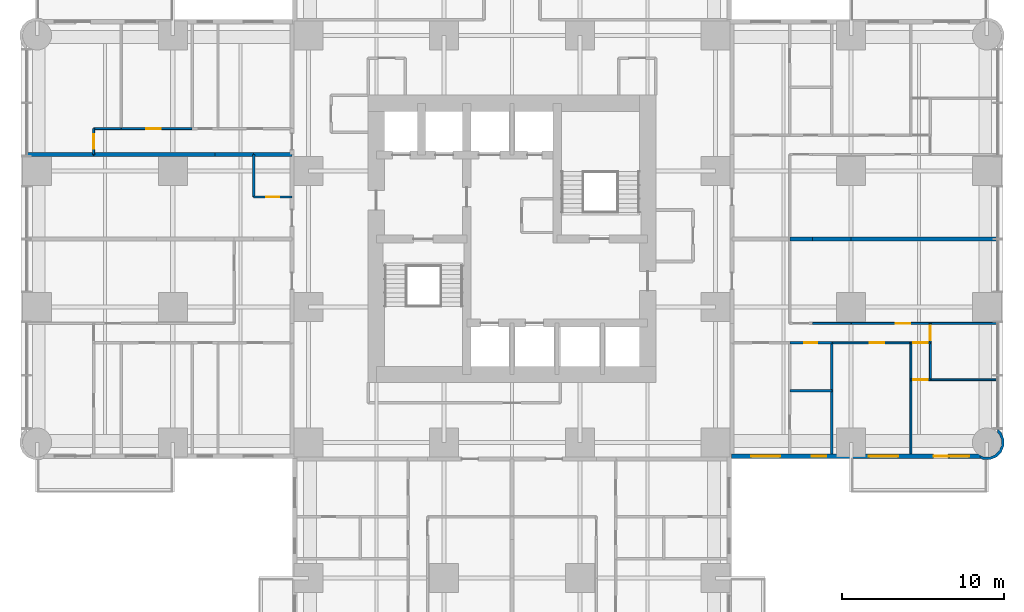
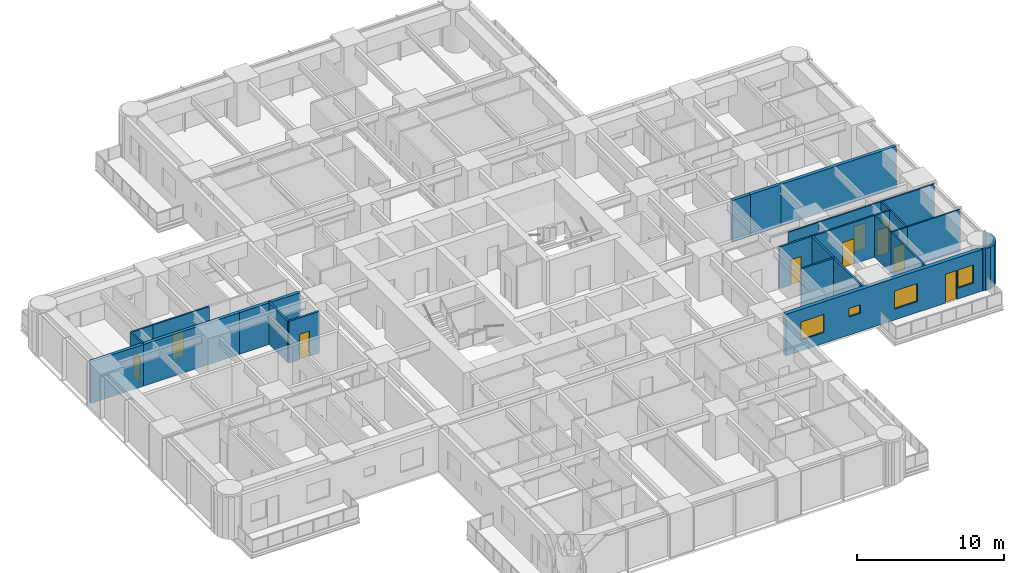
# One storey, part 11 of 17: 29 walls, 10 doors, 4 windows, 14 openings.
"""IFC4 building model written with IfcOpenShell, lengths in metres."""

from ifc_helpers import new_model, si_unit, direction, frame, frame_2d, origin, place, context, subcontext, project, spatial, polyline, rectangle, outline, extrude, material, layer, layer_set, type_object, element, fill, save


model = new_model("IFC4")

# Units and contexts
model_context = context("Model", 3, precision=1e-05, world=origin(), true_north=direction((0.0, 1.0)))
body_context = subcontext(model_context, "Body", "Model", "MODEL_VIEW")
ifc_project = project(units=[si_unit("LENGTHUNIT", "METRE"), si_unit("AREAUNIT", "SQUARE_METRE"), si_unit("VOLUMEUNIT", "CUBIC_METRE"), si_unit("PLANEANGLEUNIT", "RADIAN"), si_unit("MASSUNIT", "GRAM", prefix="KILO")], contexts=[model_context])

# Site, building, storey
site_placement = place(None, origin())
site = spatial("IfcSite", under=ifc_project, at=site_placement, CompositionType="ELEMENT")
building_placement = place(site_placement, origin())
building = spatial("IfcBuilding", under=site, at=building_placement, Name="Torre Alcanfor", CompositionType="ELEMENT")
storey_placement = place(building_placement, frame((0.0, 0.0, 34.5)))
storey = spatial("IfcBuildingStorey", under=building, at=storey_placement, Name="L07", CompositionType="ELEMENT", Elevation=34.5)

# Wall
ifc_material_1 = material(Name="Gypsum board on steel studs", Category="steel")
ifc_layer_1 = layer(ifc_material_1, 0.1201171875)
ifc_layer_set_1 = layer_set([ifc_layer_1], Name="Apartment partition 120")
wall_type_1 = type_object("IfcWallType", Name="Apartment partition 120", PredefinedType="PARTITIONING", material=ifc_layer_set_1)
wall_1_placement = place(storey_placement, frame((50.39990234375, 24.1708984375, 0.0), z_axis=(0.0, 0.0, 1.0), x_axis=(-1.0, 0.0, 0.0)))
element("IfcWall", 1, at=wall_1_placement, inside=storey, type_object=wall_type_1, Name="Partition L07-E2-KITCHEN / L07-E2-HALL", PredefinedType="PARTITIONING", context=body_context, shape_type="SweptSolid", body=[
    extrude(rectangle(XDim=2.39990234375, YDim=0.1201171875, at=frame_2d((1.199951171875, 0.0))), origin(), (0.0, 0.0, 1.0), 3.449951171875),
])

# Wall, opening, door
wall_2_placement = place(storey_placement, frame((55.300048828125, 24.1708984375, 0.0), z_axis=(0.0, 0.0, 1.0), x_axis=(-1.0, 0.0, 0.0)))
wall_2 = element("IfcWall", 2, at=wall_2_placement, inside=storey, type_object=wall_type_1, Name="Partition L07-E2-LIVING / L07-E2-HALL", PredefinedType="PARTITIONING", context=body_context, shape_type="SweptSolid", body=[
    extrude(rectangle(XDim=4.900146484375, YDim=0.1201171875, at=frame_2d((2.4501953125, 0.0))), origin(), (0.0, 0.0, 1.0), 3.449951171875),
])
opening_1_placement = place(wall_2_placement, frame((1.25, 0.0, 0.0)))
opening_1 = element("IfcOpeningElement", 3, at=opening_1_placement, cuts=wall_2, Name="Opening D-R1", PredefinedType="OPENING", context=body_context, shape_type="SweptSolid", body=[
    extrude(rectangle(XDim=0.89990234375, YDim=2.10009765625, at=frame_2d((0.449951171875, 1.050048828125))), frame((0.0, 0.070068359375, 0.0), z_axis=(0.0, -1.0, 0.0), x_axis=(1.0, 0.0, 0.0)), (0.0, 0.0, 1.0), 0.14013671875),
])
ifc_material_2 = material(Name="Timber", Category="wood")
door_type_1 = type_object("IfcDoorType", Name="Internal door 900x2100", OperationType="SINGLE_SWING_LEFT", PredefinedType="DOOR", material=ifc_material_2)
door_1_placement = place(opening_1_placement, frame((0.89990234375, 0.0, 0.0), z_axis=(0.0, 0.0, 1.0), x_axis=(-1.0, 0.0, 0.0)))
door_1 = element("IfcDoor", 4, at=door_1_placement, inside=storey, type_object=door_type_1, Name="Door L07-E2 living", OperationType="SINGLE_SWING_LEFT", OverallHeight=2.10009765625, OverallWidth=0.89990234375, PredefinedType="DOOR", context=body_context, shape_type="SweptSolid", body=[
    extrude(rectangle(XDim=0.89990234375, YDim=2.10009765625, at=frame_2d((0.449951171875, 1.050048828125))), frame((0.0, 0.025146484375, 0.0), z_axis=(0.0, -1.0, 0.0), x_axis=(1.0, 0.0, 0.0)), (0.0, 0.0, 1.0), 0.050048828125),
])
fill(opening_1, door_1)

# Wall
wall_3_placement = place(storey_placement, frame((59.449951171875, 24.1708984375, 0.0), z_axis=(0.0, 0.0, 1.0), x_axis=(-1.0, 0.0, 0.0)))
element("IfcWall", 5, at=wall_3_placement, inside=storey, type_object=wall_type_1, Name="Partition L07-E2-LIVING / L07-E2-BED2", PredefinedType="PARTITIONING", context=body_context, shape_type="SweptSolid", body=[
    extrude(rectangle(XDim=4.14990234375, YDim=0.1201171875, at=frame_2d((2.074951171875, 0.0))), origin(), (0.0, 0.0, 1.0), 3.449951171875),
])

# Wall, opening, door
wall_4_placement = place(storey_placement, frame((54.10009765625, 22.970947265625, 0.0), z_axis=(0.0, 0.0, 1.0), x_axis=(-1.0, 0.0, 0.0)))
wall_4 = element("IfcWall", 6, at=wall_4_placement, inside=storey, type_object=wall_type_1, Name="Partition L07-E2-HALL / L07-E2-BED3", PredefinedType="PARTITIONING", context=body_context, shape_type="SweptSolid", body=[
    extrude(rectangle(XDim=4.900146484375, YDim=0.1201171875, at=frame_2d((2.4501953125, 0.0))), origin(), (0.0, 0.0, 1.0), 3.449951171875),
])
opening_2_placement = place(wall_4_placement, frame((1.64990234375, 0.0, 0.0)))
opening_2 = element("IfcOpeningElement", 7, at=opening_2_placement, cuts=wall_4, Name="Opening D-R1", PredefinedType="OPENING", context=body_context, shape_type="SweptSolid", body=[
    extrude(rectangle(XDim=0.89990234375, YDim=2.10009765625, at=frame_2d((0.449951171875, 1.050048828125))), frame((0.0, 0.070068359375, 0.0), z_axis=(0.0, -1.0, 0.0), x_axis=(1.0, 0.0, 0.0)), (0.0, 0.0, 1.0), 0.14013671875),
])
door_2_placement = place(opening_2_placement, origin())
door_2 = element("IfcDoor", 8, at=door_2_placement, inside=storey, type_object=door_type_1, Name="Door L07-E2 bed3", OperationType="SINGLE_SWING_LEFT", OverallHeight=2.10009765625, OverallWidth=0.89990234375, PredefinedType="DOOR", context=body_context, shape_type="SweptSolid", body=[
    extrude(rectangle(XDim=0.89990234375, YDim=2.10009765625, at=frame_2d((0.449951171875, 1.050048828125))), frame((0.0, 0.02490234375, 0.0), z_axis=(0.0, -1.0, 0.0), x_axis=(1.0, 0.0, 0.0)), (0.0, 0.0, 1.0), 0.050048828125),
])
fill(opening_2, door_2)

wall_5_placement = place(storey_placement, frame((55.300048828125, 22.970947265625, 0.0), z_axis=(0.0, 0.0, 1.0), x_axis=(-1.0, 0.0, 0.0)))
wall_5 = element("IfcWall", 9, at=wall_5_placement, inside=storey, type_object=wall_type_1, Name="Partition L07-E2-HALL / L07-E2-VEST", PredefinedType="PARTITIONING", context=body_context, shape_type="SweptSolid", body=[
    extrude(rectangle(XDim=1.199951171875, YDim=0.1201171875, at=frame_2d((0.60009765625, 0.0))), origin(), (0.0, 0.0, 1.0), 3.449951171875),
])
opening_3_placement = place(wall_5_placement, frame((0.14990234375, 0.0, 0.0)))
opening_3 = element("IfcOpeningElement", 10, at=opening_3_placement, cuts=wall_5, Name="Opening D-R1", PredefinedType="OPENING", context=body_context, shape_type="SweptSolid", body=[
    extrude(rectangle(XDim=0.89990234375, YDim=2.10009765625, at=frame_2d((0.449951171875, 1.050048828125))), frame((0.0, 0.070068359375, 0.0), z_axis=(0.0, -1.0, 0.0), x_axis=(1.0, 0.0, 0.0)), (0.0, 0.0, 1.0), 0.14013671875),
])
door_3_placement = place(opening_3_placement, origin())
door_3 = element("IfcDoor", 11, at=door_3_placement, inside=storey, type_object=door_type_1, Name="Door L07-E2 vest", OperationType="SINGLE_SWING_LEFT", OverallHeight=2.10009765625, OverallWidth=0.89990234375, PredefinedType="DOOR", context=body_context, shape_type="SweptSolid", body=[
    extrude(rectangle(XDim=0.89990234375, YDim=2.10009765625, at=frame_2d((0.449951171875, 1.050048828125))), frame((0.0, 0.02490234375, 0.0), z_axis=(0.0, -1.0, 0.0), x_axis=(1.0, 0.0, 0.0)), (0.0, 0.0, 1.0), 0.050048828125),
])
fill(opening_3, door_3)

wall_6_placement = place(storey_placement, frame((55.300048828125, 24.1708984375, 0.0), z_axis=(0.0, 0.0, 1.0), x_axis=(0.0, -1.0, 0.0)))
wall_6 = element("IfcWall", 12, at=wall_6_placement, inside=storey, type_object=wall_type_1, Name="Partition L07-E2-HALL / L07-E2-BED2", PredefinedType="PARTITIONING", context=body_context, shape_type="SweptSolid", body=[
    extrude(rectangle(XDim=1.199951171875, YDim=0.1201171875, at=frame_2d((0.60009765625, 0.0))), origin(), (0.0, 0.0, 1.0), 3.449951171875),
])
opening_4_placement = place(wall_6_placement, frame((0.15087890625, 0.0, 0.0)))
opening_4 = element("IfcOpeningElement", 13, at=opening_4_placement, cuts=wall_6, Name="Opening D-R1", PredefinedType="OPENING", context=body_context, shape_type="SweptSolid", body=[
    extrude(rectangle(XDim=0.89990234375, YDim=2.10009765625, at=frame_2d((0.449951171875, 1.050048828125))), frame((0.0, 0.070068359375, 0.0), z_axis=(0.0, -1.0, 0.0), x_axis=(1.0, 0.0, 0.0)), (0.0, 0.0, 1.0), 0.14013671875),
])
door_4_placement = place(opening_4_placement, origin())
door_4 = element("IfcDoor", 14, at=door_4_placement, inside=storey, type_object=door_type_1, Name="Door L07-E2 bed2", OperationType="SINGLE_SWING_LEFT", OverallHeight=2.10009765625, OverallWidth=0.89990234375, PredefinedType="DOOR", context=body_context, shape_type="SweptSolid", body=[
    extrude(rectangle(XDim=0.89990234375, YDim=2.10009765625, at=frame_2d((0.449951171875, 1.050048828125))), frame((0.0, 0.02490234375, 0.0), z_axis=(0.0, -1.0, 0.0), x_axis=(1.0, 0.0, 0.0)), (0.0, 0.0, 1.0), 0.050048828125),
])
fill(opening_4, door_4)

# Walls
wall_7_placement = place(storey_placement, frame((54.10009765625, 22.970947265625, 0.0), z_axis=(0.0, 0.0, 1.0), x_axis=(0.0, -1.0, 0.0)))
element("IfcWall", 15, at=wall_7_placement, inside=storey, type_object=wall_type_1, Name="Partition L07-E2-BED3 / L07-E2-VEST", PredefinedType="PARTITIONING", context=body_context, shape_type="SweptSolid", body=[
    extrude(rectangle(XDim=2.284912109375, YDim=0.1201171875, at=frame_2d((1.142578125, 0.0))), origin(), (0.0, 0.0, 1.0), 3.449951171875),
])
wall_8_placement = place(storey_placement, frame((54.10009765625, 20.68603515625, 0.0), z_axis=(0.0, 0.0, 1.0), x_axis=(0.0, -1.0, 0.0)))
element("IfcWall", 16, at=wall_8_placement, inside=storey, type_object=wall_type_1, Name="Partition L07-E2-BED3 / L07-E2-MASTER", PredefinedType="PARTITIONING", context=body_context, shape_type="SweptSolid", body=[
    extrude(rectangle(XDim=4.5859375, YDim=0.1201171875, at=frame_2d((2.29296875, 0.0))), origin(), (0.0, 0.0, 1.0), 3.449951171875),
])
wall_9_placement = place(storey_placement, frame((55.300048828125, 22.970947265625, 0.0), z_axis=(0.0, 0.0, 1.0), x_axis=(0.0, -1.0, 0.0)))
element("IfcWall", 17, at=wall_9_placement, inside=storey, type_object=wall_type_1, Name="Partition L07-E2-VEST / L07-E2-BED2", PredefinedType="PARTITIONING", context=body_context, shape_type="SweptSolid", body=[
    extrude(rectangle(XDim=2.284912109375, YDim=0.1201171875, at=frame_2d((1.142578125, 0.0))), origin(), (0.0, 0.0, 1.0), 3.449951171875),
])

# Wall, opening, door
wall_10_placement = place(storey_placement, frame((55.300048828125, 20.68603515625, 0.0), z_axis=(0.0, 0.0, 1.0), x_axis=(-1.0, 0.0, 0.0)))
wall_10 = element("IfcWall", 18, at=wall_10_placement, inside=storey, type_object=wall_type_1, Name="Partition L07-E2-VEST / L07-E2-MASTER", PredefinedType="PARTITIONING", context=body_context, shape_type="SweptSolid", body=[
    extrude(rectangle(XDim=1.199951171875, YDim=0.1201171875, at=frame_2d((0.60009765625, 0.0))), origin(), (0.0, 0.0, 1.0), 3.449951171875),
])
opening_5_placement = place(wall_10_placement, frame((0.14990234375, 0.0, 0.0)))
opening_5 = element("IfcOpeningElement", 19, at=opening_5_placement, cuts=wall_10, Name="Opening D-R1", PredefinedType="OPENING", context=body_context, shape_type="SweptSolid", body=[
    extrude(rectangle(XDim=0.89990234375, YDim=2.10009765625, at=frame_2d((0.449951171875, 1.050048828125))), frame((0.0, 0.070068359375, 0.0), z_axis=(0.0, -1.0, 0.0), x_axis=(1.0, 0.0, 0.0)), (0.0, 0.0, 1.0), 0.14013671875),
])
door_5_placement = place(opening_5_placement, frame((0.89990234375, 0.0, 0.0), z_axis=(0.0, 0.0, 1.0), x_axis=(-1.0, 0.0, 0.0)))
door_5 = element("IfcDoor", 20, at=door_5_placement, inside=storey, type_object=door_type_1, Name="Door L07-E2 master", OperationType="SINGLE_SWING_RIGHT", OverallHeight=2.10009765625, OverallWidth=0.89990234375, PredefinedType="DOOR", context=body_context, shape_type="SweptSolid", body=[
    extrude(rectangle(XDim=0.89990234375, YDim=2.10009765625, at=frame_2d((0.449951171875, 1.050048828125))), frame((0.0, 0.025146484375, 0.0), z_axis=(0.0, -1.0, 0.0), x_axis=(1.0, 0.0, 0.0)), (0.0, 0.0, 1.0), 0.050048828125),
])
fill(opening_5, door_5)

# Wall
wall_11_placement = place(storey_placement, frame((59.449951171875, 20.68603515625, 0.0), z_axis=(0.0, 0.0, 1.0), x_axis=(-1.0, 0.0, 0.0)))
element("IfcWall", 21, at=wall_11_placement, inside=storey, type_object=wall_type_1, Name="Partition L07-E2-BED2 / L07-E2-MASTER", PredefinedType="PARTITIONING", context=body_context, shape_type="SweptSolid", body=[
    extrude(rectangle(XDim=4.14990234375, YDim=0.1201171875, at=frame_2d((2.074951171875, 0.0))), origin(), (0.0, 0.0, 1.0), 3.449951171875),
])

# Wall, opening, door
wall_12_placement = place(storey_placement, frame((5.199951171875, 36.22900390625, 0.0), z_axis=(0.0, 0.0, 1.0), x_axis=(1.0, 0.0, 0.0)))
wall_12 = element("IfcWall", 22, at=wall_12_placement, inside=storey, type_object=wall_type_1, Name="Partition L07-W2B-HALL / L07-W2B-STUDY", PredefinedType="PARTITIONING", context=body_context, shape_type="SweptSolid", body=[
    extrude(rectangle(XDim=4.400146484375, YDim=0.1201171875, at=frame_2d((2.2001953125, 0.0))), origin(), (0.0, 0.0, 1.0), 3.449951171875),
])
opening_6_placement = place(wall_12_placement, frame((1.550048828125, 0.0, 0.0)))
opening_6 = element("IfcOpeningElement", 23, at=opening_6_placement, cuts=wall_12, Name="Opening D-R1", PredefinedType="OPENING", context=body_context, shape_type="SweptSolid", body=[
    extrude(rectangle(XDim=0.89990234375, YDim=2.10009765625, at=frame_2d((0.449951171875, 1.050048828125))), frame((0.0, 0.070068359375, 0.0), z_axis=(0.0, -1.0, 0.0), x_axis=(1.0, 0.0, 0.0)), (0.0, 0.0, 1.0), 0.14013671875),
])
door_6_placement = place(opening_6_placement, origin())
door_6 = element("IfcDoor", 24, at=door_6_placement, inside=storey, type_object=door_type_1, Name="Door L07-W2B study", OperationType="SINGLE_SWING_LEFT", OverallHeight=2.10009765625, OverallWidth=0.89990234375, PredefinedType="DOOR", context=body_context, shape_type="SweptSolid", body=[
    extrude(rectangle(XDim=0.89990234375, YDim=2.10009765625, at=frame_2d((0.449951171875, 1.050048828125))), frame((0.0, 0.02490234375, 0.0), z_axis=(0.0, -1.0, 0.0), x_axis=(1.0, 0.0, 0.0)), (0.0, 0.0, 1.0), 0.050048828125),
])
fill(opening_6, door_6)

# Wall
wall_13_placement = place(storey_placement, frame((3.5, 36.22900390625, 0.0), z_axis=(0.0, 0.0, 1.0), x_axis=(1.0, 0.0, 0.0)))
element("IfcWall", 25, at=wall_13_placement, inside=storey, type_object=wall_type_1, Name="Partition L07-W2B-HALL / L07-W2B-KITCHEN", PredefinedType="PARTITIONING", context=body_context, shape_type="SweptSolid", body=[
    extrude(rectangle(XDim=1.699951171875, YDim=0.1201171875, at=frame_2d((0.85009765625, 0.0))), origin(), (0.0, 0.0, 1.0), 3.449951171875),
])

# Wall, opening, door
wall_14_placement = place(storey_placement, frame((3.5, 34.62890625, 0.0), z_axis=(0.0, 0.0, 1.0), x_axis=(0.0, 1.0, 0.0)))
wall_14 = element("IfcWall", 26, at=wall_14_placement, inside=storey, type_object=wall_type_1, Name="Partition L07-W2B-HALL / L07-W2B-LIVING", PredefinedType="PARTITIONING", context=body_context, shape_type="SweptSolid", body=[
    extrude(rectangle(XDim=1.60009765625, YDim=0.1201171875, at=frame_2d((0.800048828125, 0.0))), origin(), (0.0, 0.0, 1.0), 3.449951171875),
])
opening_7_placement = place(wall_14_placement, frame((0.35009765625, 0.0, 0.0)))
opening_7 = element("IfcOpeningElement", 27, at=opening_7_placement, cuts=wall_14, Name="Opening D-R1", PredefinedType="OPENING", context=body_context, shape_type="SweptSolid", body=[
    extrude(rectangle(XDim=0.89990234375, YDim=2.10009765625, at=frame_2d((0.449951171875, 1.050048828125))), frame((0.0, 0.070068359375, 0.0), z_axis=(0.0, -1.0, 0.0), x_axis=(1.0, 0.0, 0.0)), (0.0, 0.0, 1.0), 0.14013671875),
])
door_7_placement = place(opening_7_placement, origin())
door_7 = element("IfcDoor", 28, at=door_7_placement, inside=storey, type_object=door_type_1, Name="Door L07-W2B living", OperationType="SINGLE_SWING_LEFT", OverallHeight=2.10009765625, OverallWidth=0.89990234375, PredefinedType="DOOR", context=body_context, shape_type="SweptSolid", body=[
    extrude(rectangle(XDim=0.89990234375, YDim=2.10009765625, at=frame_2d((0.449951171875, 1.050048828125))), frame((0.0, 0.02490234375, 0.0), z_axis=(0.0, -1.0, 0.0), x_axis=(1.0, 0.0, 0.0)), (0.0, 0.0, 1.0), 0.050048828125),
])
fill(opening_7, door_7)

# Wall, openings, door, windows
ifc_material_3 = material(Name="Limestone cladding", Category="masonry")
ifc_layer_2 = layer(ifc_material_3, 0.0400390625, Name="Facing")
ifc_material_4 = material(Name="Ventilated air cavity")
ifc_layer_3 = layer(ifc_material_4, 0.02001953125, ventilated=True, Name="Ventilated joint")
ifc_material_5 = material(Name="Mineral wool insulation", Category="insulation")
ifc_layer_4 = layer(ifc_material_5, 0.10009765625, Name="Insulation")
ifc_material_6 = material(Name="Concrete f'c 35 MPa", Category="concrete")
ifc_layer_5 = layer(ifc_material_6, 0.139892578125, Name="Backing")
ifc_layer_set_2 = layer_set([ifc_layer_2, ifc_layer_3, ifc_layer_4, ifc_layer_5], Name="External wall stone-clad 300")
wall_type_2 = type_object("IfcWallType", Name="External wall stone-clad 300", PredefinedType="SOLIDWALL", material=ifc_layer_set_2)
wall_15_placement = place(storey_placement, frame((43.0, 15.949951171875, 0.0), z_axis=(0.0, 0.0, 1.0), x_axis=(1.0, 0.0, 0.0)))
wall_15 = element("IfcWall", 29, at=wall_15_placement, inside=storey, type_object=wall_type_2, Name="External wall L07 7", PredefinedType="SOLIDWALL", context=body_context, shape_type="SweptSolid", body=[
    extrude(rectangle(XDim=15.39990234375, YDim=0.300048828125, at=frame_2d((7.699951171875, 0.0))), origin(), (0.0, 0.0, 1.0), 3.449951171875),
])
opening_8_placement = place(wall_15_placement, frame((1.199951171875, 0.0, 0.89990234375)))
opening_8 = element("IfcOpeningElement", 30, at=opening_8_placement, cuts=wall_15, Name="Opening W2", PredefinedType="OPENING", context=body_context, shape_type="SweptSolid", body=[
    extrude(rectangle(XDim=1.800048828125, YDim=1.5, at=frame_2d((0.89990234375, 0.75))), frame((0.0, 0.159912109375, 0.0), z_axis=(0.0, -1.0, 0.0), x_axis=(1.0, 0.0, 0.0)), (0.0, 0.0, 1.0), 0.320068359375),
])
opening_9_placement = place(wall_15_placement, frame((4.949951171875, 0.0, 1.5)))
opening_9 = element("IfcOpeningElement", 31, at=opening_9_placement, cuts=wall_15, Name="Opening W3", PredefinedType="OPENING", context=body_context, shape_type="SweptSolid", body=[
    extrude(rectangle(XDim=0.89990234375, YDim=0.699951171875, at=frame_2d((0.449951171875, 0.35009765625))), frame((0.0, 0.159912109375, 0.0), z_axis=(0.0, -1.0, 0.0), x_axis=(1.0, 0.0, 0.0)), (0.0, 0.0, 1.0), 0.320068359375),
])
opening_10_placement = place(wall_15_placement, frame((8.5, 0.0, 0.89990234375)))
opening_10 = element("IfcOpeningElement", 32, at=opening_10_placement, cuts=wall_15, Name="Opening W2", PredefinedType="OPENING", context=body_context, shape_type="SweptSolid", body=[
    extrude(rectangle(XDim=1.800048828125, YDim=1.5, at=frame_2d((0.89990234375, 0.75))), frame((0.0, 0.159912109375, 0.0), z_axis=(0.0, -1.0, 0.0), x_axis=(1.0, 0.0, 0.0)), (0.0, 0.0, 1.0), 0.320068359375),
])
opening_11_placement = place(wall_15_placement, frame((12.5, 0.0, 0.0)))
opening_11 = element("IfcOpeningElement", 33, at=opening_11_placement, cuts=wall_15, Name="Opening D-B1", PredefinedType="OPENING", context=body_context, shape_type="SweptSolid", body=[
    extrude(rectangle(XDim=0.89990234375, YDim=2.39990234375, at=frame_2d((0.449951171875, 1.199951171875))), frame((0.0, 0.159912109375, 0.0), z_axis=(0.0, -1.0, 0.0), x_axis=(1.0, 0.0, 0.0)), (0.0, 0.0, 1.0), 0.320068359375),
])
opening_12_placement = place(wall_15_placement, frame((13.5, 0.0, 0.89990234375)))
opening_12 = element("IfcOpeningElement", 34, at=opening_12_placement, cuts=wall_15, Name="Opening W4", PredefinedType="OPENING", context=body_context, shape_type="SweptSolid", body=[
    extrude(rectangle(XDim=1.199951171875, YDim=1.5, at=frame_2d((0.60009765625, 0.75))), frame((0.0, 0.159912109375, 0.0), z_axis=(0.0, -1.0, 0.0), x_axis=(1.0, 0.0, 0.0)), (0.0, 0.0, 1.0), 0.320068359375),
])
ifc_material_7 = material(Name="Aluminium and glass", Category="aluminium")
door_type_2 = type_object("IfcDoorType", Name="Balcony door glazed 900x2400", OperationType="SINGLE_SWING_LEFT", PredefinedType="DOOR", material=ifc_material_7)
door_8_placement = place(opening_11_placement, origin())
door_8 = element("IfcDoor", 35, at=door_8_placement, inside=storey, type_object=door_type_2, Name="Balcony door L07-E2", OperationType="SINGLE_SWING_LEFT", OverallHeight=2.39990234375, OverallWidth=0.89990234375, PredefinedType="DOOR", context=body_context, shape_type="SweptSolid", body=[
    extrude(rectangle(XDim=0.89990234375, YDim=2.39990234375, at=frame_2d((0.449951171875, 1.199951171875))), frame((0.0, 0.02490234375, 0.0), z_axis=(0.0, -1.0, 0.0), x_axis=(1.0, 0.0, 0.0)), (0.0, 0.0, 1.0), 0.050048828125),
])
fill(opening_11, door_8)
ifc_material_8 = material(Name="Aluminium frame with clear double glazing", Category="aluminium")
window_type_1 = type_object("IfcWindowType", Name="Window bathroom 900x700", PartitioningType="SINGLE_PANEL", PredefinedType="WINDOW", material=ifc_material_8)
window_1_placement = place(opening_9_placement, origin())
window_1 = element("IfcWindow", 36, at=window_1_placement, inside=storey, type_object=window_type_1, Name="Window W3 L07-E2", OverallHeight=0.699951171875, OverallWidth=0.89990234375, PartitioningType="SINGLE_PANEL", PredefinedType="WINDOW", context=body_context, shape_type="SweptSolid", body=[
    extrude(rectangle(XDim=0.89990234375, YDim=0.699951171875, at=frame_2d((0.449951171875, 0.35009765625))), frame((0.0, 0.030029296875, 0.0), z_axis=(0.0, -1.0, 0.0), x_axis=(1.0, 0.0, 0.0)), (0.0, 0.0, 1.0), 0.06005859375),
])
fill(opening_9, window_1)
ifc_material_9 = material(Name="Aluminium frame with clear double glazing", Category="aluminium")
window_type_2 = type_object("IfcWindowType", Name="Window bedroom 1200x1500", PartitioningType="SINGLE_PANEL", PredefinedType="WINDOW", material=ifc_material_9)
window_2_placement = place(opening_12_placement, origin())
window_2 = element("IfcWindow", 37, at=window_2_placement, inside=storey, type_object=window_type_2, Name="Window W4 L07-E2", OverallHeight=1.5, OverallWidth=1.199951171875, PartitioningType="SINGLE_PANEL", PredefinedType="WINDOW", context=body_context, shape_type="SweptSolid", body=[
    extrude(rectangle(XDim=1.199951171875, YDim=1.5, at=frame_2d((0.60009765625, 0.75))), frame((0.0, 0.030029296875, 0.0), z_axis=(0.0, -1.0, 0.0), x_axis=(1.0, 0.0, 0.0)), (0.0, 0.0, 1.0), 0.06005859375),
])
fill(opening_12, window_2)
ifc_material_10 = material(Name="Aluminium frame with clear double glazing", Category="aluminium")
window_type_3 = type_object("IfcWindowType", Name="Window bedroom 1800x1500", PartitioningType="SINGLE_PANEL", PredefinedType="WINDOW", material=ifc_material_10)
window_3_placement = place(opening_8_placement, origin())
window_3 = element("IfcWindow", 38, at=window_3_placement, inside=storey, type_object=window_type_3, Name="Window W2 L07-E2", OverallHeight=1.5, OverallWidth=1.800048828125, PartitioningType="SINGLE_PANEL", PredefinedType="WINDOW", context=body_context, shape_type="SweptSolid", body=[
    extrude(rectangle(XDim=1.800048828125, YDim=1.5, at=frame_2d((0.89990234375, 0.75))), frame((0.0, 0.030029296875, 0.0), z_axis=(0.0, -1.0, 0.0), x_axis=(1.0, 0.0, 0.0)), (0.0, 0.0, 1.0), 0.06005859375),
])
fill(opening_8, window_3)
window_4_placement = place(opening_10_placement, origin())
window_4 = element("IfcWindow", 39, at=window_4_placement, inside=storey, type_object=window_type_3, Name="Window W2 L07-E2", OverallHeight=1.5, OverallWidth=1.800048828125, PartitioningType="SINGLE_PANEL", PredefinedType="WINDOW", context=body_context, shape_type="SweptSolid", body=[
    extrude(rectangle(XDim=1.800048828125, YDim=1.5, at=frame_2d((0.89990234375, 0.75))), frame((0.0, 0.030029296875, 0.0), z_axis=(0.0, -1.0, 0.0), x_axis=(1.0, 0.0, 0.0)), (0.0, 0.0, 1.0), 0.06005859375),
])
fill(opening_10, window_4)

# Walls
ifc_material_11 = material(Name="Concrete block masonry, hollow blocks NMX-C-404 9 MPa", Category="masonry")
ifc_layer_6 = layer(ifc_material_11, 0.25)
ifc_layer_set_3 = layer_set([ifc_layer_6], Name="Party wall 250 EI 60")
wall_type_3 = type_object("IfcWallType", Name="Party wall 250 EI 60", PredefinedType="PARTITIONING", material=ifc_layer_set_3)
wall_16_placement = place(storey_placement, frame((46.60009765625, 29.39990234375, 0.0), z_axis=(0.0, 0.0, 1.0), x_axis=(1.0, 0.0, 0.0)))
element("IfcWall", 40, at=wall_16_placement, inside=storey, type_object=wall_type_3, Name="Partition L07-E1-LAUND / L07-E2-LAUND", PredefinedType="PARTITIONING", context=body_context, shape_type="SweptSolid", body=[
    extrude(rectangle(XDim=1.39990234375, YDim=0.25, at=frame_2d((0.699951171875, 0.0))), origin(), (0.0, 0.0, 1.0), 3.449951171875),
])
wall_17_placement = place(storey_placement, frame((48.0, 29.39990234375, 0.0), z_axis=(0.0, 0.0, 1.0), x_axis=(1.0, 0.0, 0.0)))
element("IfcWall", 41, at=wall_17_placement, inside=storey, type_object=wall_type_3, Name="Partition L07-E1-KITCHEN / L07-E2-KITCHEN", PredefinedType="PARTITIONING", context=body_context, shape_type="SweptSolid", body=[
    extrude(rectangle(XDim=2.39990234375, YDim=0.25, at=frame_2d((1.199951171875, 0.0))), origin(), (0.0, 0.0, 1.0), 3.449951171875),
])
wall_18_placement = place(storey_placement, frame((50.39990234375, 29.39990234375, 0.0), z_axis=(0.0, 0.0, 1.0), x_axis=(1.0, 0.0, 0.0)))
element("IfcWall", 42, at=wall_18_placement, inside=storey, type_object=wall_type_3, Name="Partition L07-E1-LIVING / L07-E2-LIVING", PredefinedType="PARTITIONING", context=body_context, shape_type="SweptSolid", body=[
    extrude(rectangle(XDim=9.050048828125, YDim=0.25, at=frame_2d((4.52490234375, 0.0))), origin(), (0.0, 0.0, 1.0), 3.449951171875),
])
wall_19_placement = place(storey_placement, frame((13.39990234375, 34.62890625, 0.0), z_axis=(0.0, 0.0, 1.0), x_axis=(1.0, 0.0, 0.0)))
element("IfcWall", 43, at=wall_19_placement, inside=storey, type_object=wall_type_3, Name="Partition L07-W2A-BATH / L07-W2B-HALL", PredefinedType="PARTITIONING", context=body_context, shape_type="SweptSolid", body=[
    extrude(rectangle(XDim=2.375, YDim=0.25, at=frame_2d((1.1875, 0.0))), origin(), (0.0, 0.0, 1.0), 3.449951171875),
])
wall_20_placement = place(storey_placement, frame((11.0, 34.62890625, 0.0), z_axis=(0.0, 0.0, 1.0), x_axis=(1.0, 0.0, 0.0)))
element("IfcWall", 44, at=wall_20_placement, inside=storey, type_object=wall_type_3, Name="Partition L07-W2A-KITCHEN / L07-W2B-HALL", PredefinedType="PARTITIONING", context=body_context, shape_type="SweptSolid", body=[
    extrude(rectangle(XDim=2.39990234375, YDim=0.25, at=frame_2d((1.199951171875, 0.0))), origin(), (0.0, 0.0, 1.0), 3.449951171875),
])
wall_21_placement = place(storey_placement, frame((3.5, 34.62890625, 0.0), z_axis=(0.0, 0.0, 1.0), x_axis=(1.0, 0.0, 0.0)))
element("IfcWall", 45, at=wall_21_placement, inside=storey, type_object=wall_type_3, Name="Partition L07-W2A-STUDIO / L07-W2B-HALL", PredefinedType="PARTITIONING", context=body_context, shape_type="SweptSolid", body=[
    extrude(rectangle(XDim=7.5, YDim=0.25, at=frame_2d((3.75, 0.0))), origin(), (0.0, 0.0, 1.0), 3.449951171875),
])
wall_22_placement = place(storey_placement, frame((-0.64990234375, 34.62890625, 0.0), z_axis=(0.0, 0.0, 1.0), x_axis=(1.0, 0.0, 0.0)))
element("IfcWall", 46, at=wall_22_placement, inside=storey, type_object=wall_type_3, Name="Partition L07-W2A-STUDIO / L07-W2B-LIVING", PredefinedType="PARTITIONING", context=body_context, shape_type="SweptSolid", body=[
    extrude(rectangle(XDim=4.14990234375, YDim=0.25, at=frame_2d((2.074951171875, 0.0))), origin(), (0.0, 0.0, 1.0), 3.449951171875),
])
ifc_layer_7 = layer(ifc_material_3, 0.0400390625, Name="Facing")
ifc_layer_8 = layer(ifc_material_4, 0.02001953125, ventilated=True, Name="Ventilated joint")
ifc_layer_9 = layer(ifc_material_5, 0.10009765625, Name="Insulation")
ifc_layer_10 = layer(ifc_material_6, 0.139892578125, Name="Backing")
ifc_layer_set_4 = layer_set([ifc_layer_7, ifc_layer_8, ifc_layer_9, ifc_layer_10], Name="Rounded corner pier stone-clad 300")
wall_type_4 = type_object("IfcWallType", Name="Rounded corner pier stone-clad 300", PredefinedType="SOLIDWALL", material=ifc_layer_set_4)
wall_23_placement = place(storey_placement, frame((58.436037137, 15.890092843, 0.0), z_axis=(0.0, 0.0, 1.0), x_axis=(0.926129809145, -0.377204953059, 0.0)))
element("IfcWall", 47, at=wall_23_placement, inside=storey, type_object=wall_type_4, Name="Corner pier L07 17", PredefinedType="SOLIDWALL", context=body_context, shape_type="SweptSolid", body=[
    extrude(outline(polyline([(0.769166837716128, 1.7276108100514604), (0.7500653632983351, 1.7227306908268178), (0.5995000244675756, 1.8749338844742405), (0.2945752424497483, 2.003546223814982), (0.2810088878235957, 1.9980207606354041), (0.36029928445054193, 1.803343571750114), (0.5086711604613772, 1.740666542271283), (0.7606181499848057, 1.4858220995022824), (0.8958078157784841, 1.153898622982415), (0.8937038530249802, 0.7953177307388815), (0.7545964309992416, 0.4650292826997394), (0.49975198823024103, 0.21308229317631072), (0.16782851171037358, 0.07789262738263233), (-0.0998950178182167, 0.07956887308382314), (0.0004995392280573718, -0.09702266930253471), (0.03004451591433495, -0.08024419760165923), (0.19838601885213236, -0.08127415720020953), (0.5888709261748919, 0.07776709131864781), (0.888863773202199, 0.37420041869354087), (1.0524038230869968, 0.7629450169505976), (1.0552007062717619, 1.1845482211771667), (0.8961594577529046, 1.5750331284999262), (0.777713405588319, 1.694976661367872), (0.769166837716128, 1.7276108100514604)])), origin(), (0.0, 0.0, 1.0), 3.449951171875),
])

# Wall, opening, door
ifc_material_12 = material(Name="Cement board on steel studs", Category="steel")
ifc_layer_11 = layer(ifc_material_12, 0.14990234375)
ifc_layer_set_5 = layer_set([ifc_layer_11], Name="Wet area partition 150")
wall_type_5 = type_object("IfcWallType", Name="Wet area partition 150", PredefinedType="PARTITIONING", material=ifc_layer_set_5)
wall_24_placement = place(storey_placement, frame((49.199951171875, 22.970947265625, 0.0), z_axis=(0.0, 0.0, 1.0), x_axis=(-1.0, 0.0, 0.0)))
wall_24 = element("IfcWall", 48, at=wall_24_placement, inside=storey, type_object=wall_type_5, Name="Partition L07-E2-HALL / L07-E2-BATH1", PredefinedType="PARTITIONING", context=body_context, shape_type="SweptSolid", body=[
    extrude(rectangle(XDim=2.599853515625, YDim=0.14990234375, at=frame_2d((1.2998046875, 0.0))), origin(), (0.0, 0.0, 1.0), 3.449951171875),
])
opening_13_placement = place(wall_24_placement, frame((0.89990234375, 0.0, 0.0)))
opening_13 = element("IfcOpeningElement", 49, at=opening_13_placement, cuts=wall_24, Name="Opening D-R2", PredefinedType="OPENING", context=body_context, shape_type="SweptSolid", body=[
    extrude(rectangle(XDim=0.800048828125, YDim=2.10009765625, at=frame_2d((0.39990234375, 1.050048828125))), frame((0.0, 0.0849609375, 0.0), z_axis=(0.0, -1.0, 0.0), x_axis=(1.0, 0.0, 0.0)), (0.0, 0.0, 1.0), 0.169921875),
])
ifc_material_13 = material(Name="Timber", Category="wood")
door_type_3 = type_object("IfcDoorType", Name="Bathroom door 800x2100", OperationType="SINGLE_SWING_LEFT", PredefinedType="DOOR", material=ifc_material_13)
door_9_placement = place(opening_13_placement, origin())
door_9 = element("IfcDoor", 50, at=door_9_placement, inside=storey, type_object=door_type_3, Name="Door L07-E2 bath1", OperationType="SINGLE_SWING_LEFT", OverallHeight=2.10009765625, OverallWidth=0.800048828125, PredefinedType="DOOR", context=body_context, shape_type="SweptSolid", body=[
    extrude(rectangle(XDim=0.800048828125, YDim=2.10009765625, at=frame_2d((0.39990234375, 1.050048828125))), frame((0.0, 0.02490234375, 0.0), z_axis=(0.0, -1.0, 0.0), x_axis=(1.0, 0.0, 0.0)), (0.0, 0.0, 1.0), 0.050048828125),
])
fill(opening_13, door_9)

# Walls
wall_25_placement = place(storey_placement, frame((49.199951171875, 20.0, 0.0), z_axis=(0.0, 0.0, 1.0), x_axis=(-1.0, 0.0, 0.0)))
element("IfcWall", 51, at=wall_25_placement, inside=storey, type_object=wall_type_5, Name="Partition L07-E2-BATH1 / L07-E2-SBATH", PredefinedType="PARTITIONING", context=body_context, shape_type="SweptSolid", body=[
    extrude(rectangle(XDim=2.599853515625, YDim=0.14990234375, at=frame_2d((1.2998046875, 0.0))), origin(), (0.0, 0.0, 1.0), 3.449951171875),
])
wall_26_placement = place(storey_placement, frame((49.199951171875, 22.970947265625, 0.0), z_axis=(0.0, 0.0, 1.0), x_axis=(0.0, -1.0, 0.0)))
element("IfcWall", 52, at=wall_26_placement, inside=storey, type_object=wall_type_5, Name="Partition L07-E2-BATH1 / L07-E2-BED3", PredefinedType="PARTITIONING", context=body_context, shape_type="SweptSolid", body=[
    extrude(rectangle(XDim=2.970947265625, YDim=0.14990234375, at=frame_2d((1.4853515625, 0.0))), origin(), (0.0, 0.0, 1.0), 3.449951171875),
])
wall_27_placement = place(storey_placement, frame((49.199951171875, 20.0, 0.0), z_axis=(0.0, 0.0, 1.0), x_axis=(0.0, -1.0, 0.0)))
element("IfcWall", 53, at=wall_27_placement, inside=storey, type_object=wall_type_5, Name="Partition L07-E2-SBATH / L07-E2-BED3", PredefinedType="PARTITIONING", context=body_context, shape_type="SweptSolid", body=[
    extrude(rectangle(XDim=3.89990234375, YDim=0.14990234375, at=frame_2d((1.949951171875, 0.0))), origin(), (0.0, 0.0, 1.0), 3.449951171875),
])

# Wall, opening, door
wall_28_placement = place(storey_placement, frame((13.39990234375, 32.0, 0.0), z_axis=(0.0, 0.0, 1.0), x_axis=(1.0, 0.0, 0.0)))
wall_28 = element("IfcWall", 54, at=wall_28_placement, inside=storey, type_object=wall_type_5, Name="Partition L07-W2A-FOYER / L07-W2A-BATH", PredefinedType="PARTITIONING", context=body_context, shape_type="SweptSolid", body=[
    extrude(rectangle(XDim=2.375, YDim=0.14990234375, at=frame_2d((1.1875, 0.0))), origin(), (0.0, 0.0, 1.0), 3.449951171875),
])
opening_14_placement = place(wall_28_placement, frame((0.800048828125, 0.0, 0.0)))
opening_14 = element("IfcOpeningElement", 55, at=opening_14_placement, cuts=wall_28, Name="Opening D-R2", PredefinedType="OPENING", context=body_context, shape_type="SweptSolid", body=[
    extrude(rectangle(XDim=0.800048828125, YDim=2.10009765625, at=frame_2d((0.39990234375, 1.050048828125))), frame((0.0, 0.0849609375, 0.0), z_axis=(0.0, -1.0, 0.0), x_axis=(1.0, 0.0, 0.0)), (0.0, 0.0, 1.0), 0.169921875),
])
door_10_placement = place(opening_14_placement, origin())
door_10 = element("IfcDoor", 56, at=door_10_placement, inside=storey, type_object=door_type_3, Name="Door L07-W2A bath", OperationType="SINGLE_SWING_RIGHT", OverallHeight=2.10009765625, OverallWidth=0.800048828125, PredefinedType="DOOR", context=body_context, shape_type="SweptSolid", body=[
    extrude(rectangle(XDim=0.800048828125, YDim=2.10009765625, at=frame_2d((0.39990234375, 1.050048828125))), frame((0.0, 0.02490234375, 0.0), z_axis=(0.0, -1.0, 0.0), x_axis=(1.0, 0.0, 0.0)), (0.0, 0.0, 1.0), 0.050048828125),
])
fill(opening_14, door_10)

# Wall
wall_29_placement = place(storey_placement, frame((13.39990234375, 32.0, 0.0), z_axis=(0.0, 0.0, 1.0), x_axis=(0.0, 1.0, 0.0)))
element("IfcWall", 57, at=wall_29_placement, inside=storey, type_object=wall_type_5, Name="Partition L07-W2A-BATH / L07-W2A-KITCHEN", PredefinedType="PARTITIONING", context=body_context, shape_type="SweptSolid", body=[
    extrude(rectangle(XDim=2.62890625, YDim=0.14990234375, at=frame_2d((1.314453125, 0.0))), origin(), (0.0, 0.0, 1.0), 3.449951171875),
])

save(model, "model.ifc")
